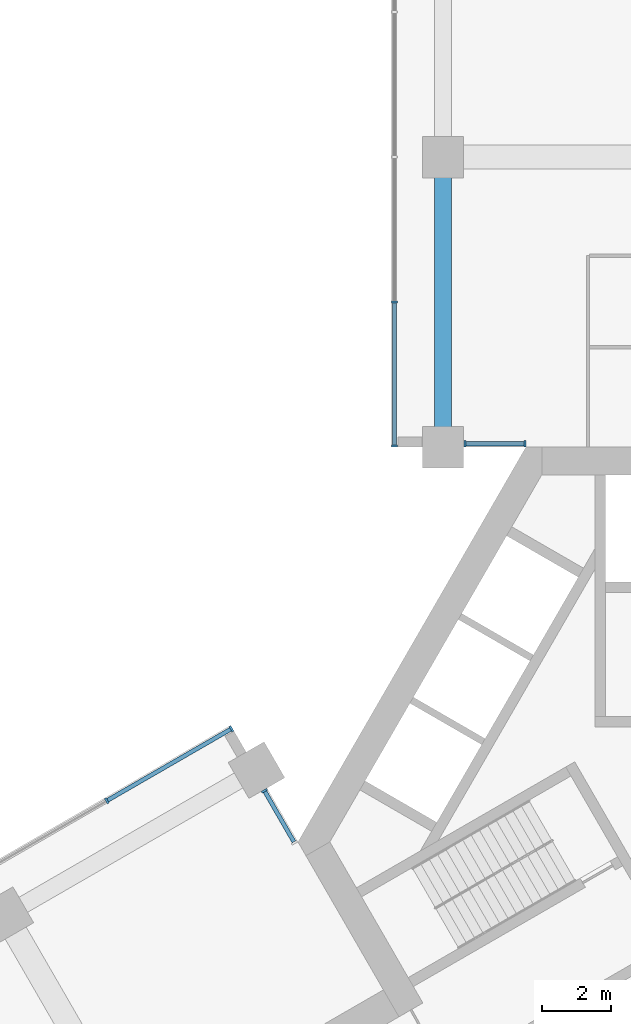
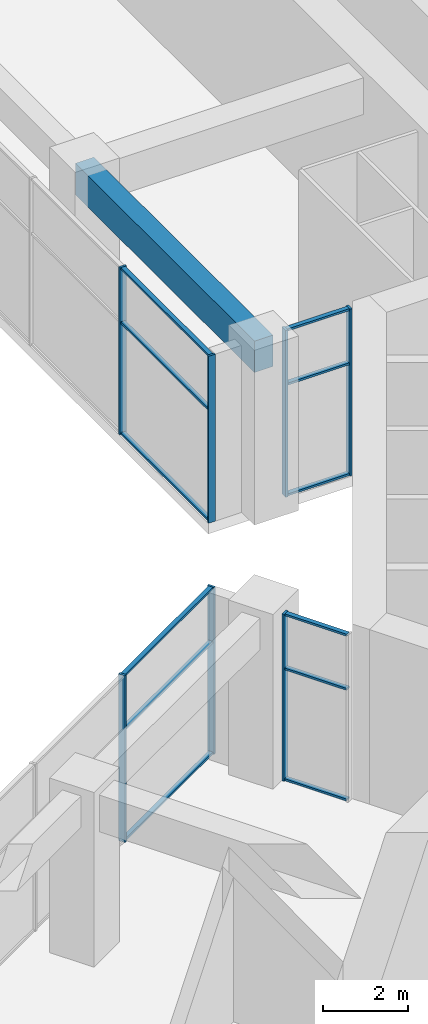
# One storey, part 6 of 20: 19 members, 1 beam, 4 elements without a shape of their own.
"""IFC4 building model written with IfcOpenShell, lengths in metres."""

from ifc_helpers import new_model, si_unit, direction, frame, origin, origin_2d, place, context, subcontext, project, spatial, rectangle, extrude, material, material_profile, profile_set, type_object, element, aggregate, save


model = new_model("IFC4")

# Units and contexts
model_context = context("Model", 3, precision=1e-05, world=origin(), true_north=direction((0.0, 1.0)))
body_context = subcontext(model_context, "Body", "Model", "MODEL_VIEW")
ifc_project = project(units=[si_unit("LENGTHUNIT", "METRE"), si_unit("AREAUNIT", "SQUARE_METRE"), si_unit("VOLUMEUNIT", "CUBIC_METRE"), si_unit("PLANEANGLEUNIT", "RADIAN"), si_unit("MASSUNIT", "GRAM", prefix="KILO")], contexts=[model_context])

# Site, building, storey
site_placement = place(None, origin())
site = spatial("IfcSite", under=ifc_project, at=site_placement, CompositionType="ELEMENT")
building_placement = place(site_placement, origin())
building = spatial("IfcBuilding", under=site, at=building_placement, Name="Impinga Residences", CompositionType="ELEMENT")
storey_placement = place(building_placement, frame((0.0, 0.0, 101.0)))
storey = spatial("IfcBuildingStorey", under=building, at=storey_placement, Name="L24", CompositionType="ELEMENT", Elevation=101.0)

# Curtain wall, members
ifc_material_1 = material(Name="Aluminium stick curtain wall", Category="aluminium")
curtain_wall_type = type_object("IfcCurtainWallType", Name="CW2 sky amenity curtain wall", PredefinedType="USERDEFINED", material=ifc_material_1)
curtain_wall_1_placement = place(storey_placement, origin())
curtain_wall_1 = element("IfcCurtainWall", 1, at=curtain_wall_1_placement, inside=storey, type_object=curtain_wall_type, Name="Curtain wall CW2 L24", ObjectType="STICK CURTAIN WALL", PredefinedType="USERDEFINED")
ifc_material_2 = material(Name="Aluminium mullion", Category="aluminium")
ifc_material_profile_1 = material_profile(ifc_material_2, rectangle(XDim=0.06005859375, YDim=0.179931640625, at=origin_2d()), Name="60x180 mullion")
ifc_profile_set_1 = profile_set([ifc_material_profile_1], Name="Aluminium mullion")
member_type_1 = type_object("IfcMemberType", Name="CW2-M mullion 60x180", PredefinedType="MULLION", material=ifc_profile_set_1)
member_1_placement = place(storey_placement, frame((-18.7373046875, 1.19091796875, 0.0), z_axis=(0.0, 0.0, 1.0), x_axis=(0.866025407005, 0.499999994423, 0.0)))
member_1 = element("IfcMember", 2, at=member_1_placement, type_object=member_type_1, Name="CW2 mullion 8", PredefinedType="MULLION", context=body_context, shape_type="SweptSolid", body=[
    extrude(rectangle(XDim=0.06005859375, YDim=0.179931640625, at=origin_2d()), origin(), (0.0, 0.0, 1.0), 4.780029296875),
])
member_2_placement = place(storey_placement, frame((-15.1259765625, 3.27587890625, 0.0), z_axis=(0.0, 0.0, 1.0), x_axis=(0.866025407005, 0.499999994423, 0.0)))
member_2 = element("IfcMember", 3, at=member_2_placement, type_object=member_type_1, Name="CW2 mullion 9", PredefinedType="MULLION", context=body_context, shape_type="SweptSolid", body=[
    extrude(rectangle(XDim=0.06005859375, YDim=0.179931640625, at=origin_2d()), origin(), (0.0, 0.0, 1.0), 4.780029296875),
])

# Curtain wall, member
curtain_wall_2_placement = place(storey_placement, origin())
curtain_wall_2 = element("IfcCurtainWall", 4, at=curtain_wall_2_placement, inside=storey, type_object=curtain_wall_type, Name="Curtain wall CW2 L24", ObjectType="STICK CURTAIN WALL", PredefinedType="USERDEFINED")
member_3_placement = place(storey_placement, frame((-14.170166015625, 1.480224609375, 0.0), z_axis=(0.0, 0.0, 1.0), x_axis=(0.499999915809, -0.866025452392, 0.0)))
member_3 = element("IfcMember", 5, at=member_3_placement, type_object=member_type_1, Name="CW2 mullion 1", PredefinedType="MULLION", context=body_context, shape_type="SweptSolid", body=[
    extrude(rectangle(XDim=0.06005859375, YDim=0.179931640625, at=origin_2d()), origin(), (0.0, 0.0, 1.0), 4.780029296875),
])

# Curtain wall, members
curtain_wall_3_placement = place(storey_placement, origin())
curtain_wall_3 = element("IfcCurtainWall", 6, at=curtain_wall_3_placement, inside=storey, type_object=curtain_wall_type, Name="Curtain wall CW2 L24", ObjectType="STICK CURTAIN WALL", PredefinedType="USERDEFINED")
member_4_placement = place(storey_placement, frame((-6.6298828125, 11.531494140625, 0.0), z_axis=(0.0, 0.0, 1.0), x_axis=(-1.0, 0.0, 0.0)))
member_4 = element("IfcMember", 7, at=member_4_placement, type_object=member_type_1, Name="CW2 mullion 1", PredefinedType="MULLION", context=body_context, shape_type="SweptSolid", body=[
    extrude(rectangle(XDim=0.06005859375, YDim=0.179931640625, at=origin_2d()), origin(), (0.0, 0.0, 1.0), 4.780029296875),
])
member_5_placement = place(storey_placement, frame((-8.366943359375, 11.531494140625, 0.0), z_axis=(0.0, 0.0, 1.0), x_axis=(-1.0, 0.0, 0.0)))
member_5 = element("IfcMember", 8, at=member_5_placement, type_object=member_type_1, Name="CW2 mullion 2", PredefinedType="MULLION", context=body_context, shape_type="SweptSolid", body=[
    extrude(rectangle(XDim=0.06005859375, YDim=0.179931640625, at=origin_2d()), origin(), (0.0, 0.0, 1.0), 4.780029296875),
])

curtain_wall_4_placement = place(storey_placement, origin())
curtain_wall_4 = element("IfcCurtainWall", 9, at=curtain_wall_4_placement, inside=storey, type_object=curtain_wall_type, Name="Curtain wall CW2 L24", ObjectType="STICK CURTAIN WALL", PredefinedType="USERDEFINED")
member_6_placement = place(storey_placement, frame((-10.39990234375, 11.46142578125, 0.0), z_axis=(0.0, 0.0, 1.0), x_axis=(0.0, 1.0, 0.0)))
member_6 = element("IfcMember", 10, at=member_6_placement, type_object=member_type_1, Name="CW2 mullion 1", PredefinedType="MULLION", context=body_context, shape_type="SweptSolid", body=[
    extrude(rectangle(XDim=0.06005859375, YDim=0.179931640625, at=origin_2d()), origin(), (0.0, 0.0, 1.0), 4.780029296875),
])
member_7_placement = place(storey_placement, frame((-10.39990234375, 15.631591796875, 0.0), z_axis=(0.0, 0.0, 1.0), x_axis=(0.0, 1.0, 0.0)))
member_7 = element("IfcMember", 11, at=member_7_placement, type_object=member_type_1, Name="CW2 mullion 2", PredefinedType="MULLION", context=body_context, shape_type="SweptSolid", body=[
    extrude(rectangle(XDim=0.06005859375, YDim=0.179931640625, at=origin_2d()), origin(), (0.0, 0.0, 1.0), 4.780029296875),
])

# Member
ifc_material_3 = material(Name="Aluminium transom", Category="aluminium")
ifc_material_profile_2 = material_profile(ifc_material_3, rectangle(XDim=0.06005859375, YDim=0.1201171875, at=origin_2d()), Name="60x120 transom")
ifc_profile_set_2 = profile_set([ifc_material_profile_2], Name="Aluminium transom")
member_type_2 = type_object("IfcMemberType", Name="CW2-T transom 60x120", PredefinedType="USERDEFINED", material=ifc_profile_set_2)
member_8_placement = place(storey_placement, frame((-18.71142578125, 1.205810546875, 0.030029296875), z_axis=(0.866019409031, 0.500010383074, 0.0), x_axis=(0.0, 0.0, 1.0)))
member_8 = element("IfcMember", 12, at=member_8_placement, type_object=member_type_2, Name="CW2 transom 8.1", ObjectType="TRANSOM", PredefinedType="USERDEFINED", context=body_context, shape_type="SweptSolid", body=[
    extrude(rectangle(XDim=0.06005859375, YDim=0.1201171875, at=origin_2d()), origin(), (0.0, 0.0, 1.0), 4.1103515625),
])

member_9_placement = place(storey_placement, frame((-18.71142578125, 1.205810546875, 3.199951171875), z_axis=(0.866019409031, 0.500010383074, 0.0), x_axis=(0.0, 0.0, 1.0)))
member_9 = element("IfcMember", 13, at=member_9_placement, type_object=member_type_2, Name="CW2 transom 8.2", ObjectType="TRANSOM", PredefinedType="USERDEFINED", context=body_context, shape_type="SweptSolid", body=[
    extrude(rectangle(XDim=0.06005859375, YDim=0.1201171875, at=origin_2d()), origin(), (0.0, 0.0, 1.0), 4.1103515625),
])

member_10_placement = place(storey_placement, frame((-18.71142578125, 1.205810546875, 4.75), z_axis=(0.866019409031, 0.500010383074, 0.0), x_axis=(0.0, 0.0, 1.0)))
member_10 = element("IfcMember", 14, at=member_10_placement, type_object=member_type_2, Name="CW2 transom 8.3", ObjectType="TRANSOM", PredefinedType="USERDEFINED", context=body_context, shape_type="SweptSolid", body=[
    extrude(rectangle(XDim=0.06005859375, YDim=0.1201171875, at=origin_2d()), origin(), (0.0, 0.0, 1.0), 4.1103515625),
])

aggregate(curtain_wall_1, [member_1, member_2, member_8, member_9, member_10])

member_11_placement = place(storey_placement, frame((-14.155029296875, 1.454345703125, 0.030029296875), z_axis=(0.499928289941, -0.866066801648, 0.0), x_axis=(0.0, 0.0, 1.0)))
member_11 = element("IfcMember", 15, at=member_11_placement, type_object=member_type_2, Name="CW2 transom 1.1", ObjectType="TRANSOM", PredefinedType="USERDEFINED", context=body_context, shape_type="SweptSolid", body=[
    extrude(rectangle(XDim=0.06005859375, YDim=0.1201171875, at=origin_2d()), origin(), (0.0, 0.0, 1.0), 1.677001953125),
])

member_12_placement = place(storey_placement, frame((-14.155029296875, 1.454345703125, 3.199951171875), z_axis=(0.499928289941, -0.866066801648, 0.0), x_axis=(0.0, 0.0, 1.0)))
member_12 = element("IfcMember", 16, at=member_12_placement, type_object=member_type_2, Name="CW2 transom 1.2", ObjectType="TRANSOM", PredefinedType="USERDEFINED", context=body_context, shape_type="SweptSolid", body=[
    extrude(rectangle(XDim=0.06005859375, YDim=0.1201171875, at=origin_2d()), origin(), (0.0, 0.0, 1.0), 1.677001953125),
])

member_13_placement = place(storey_placement, frame((-14.155029296875, 1.454345703125, 4.75), z_axis=(0.499928289941, -0.866066801648, 0.0), x_axis=(0.0, 0.0, 1.0)))
member_13 = element("IfcMember", 17, at=member_13_placement, type_object=member_type_2, Name="CW2 transom 1.3", ObjectType="TRANSOM", PredefinedType="USERDEFINED", context=body_context, shape_type="SweptSolid", body=[
    extrude(rectangle(XDim=0.06005859375, YDim=0.1201171875, at=origin_2d()), origin(), (0.0, 0.0, 1.0), 1.677001953125),
])

aggregate(curtain_wall_2, [member_3, member_11, member_12, member_13])

member_14_placement = place(storey_placement, frame((-6.659912109375, 11.531494140625, 0.030029296875), z_axis=(-1.0, 0.0, 0.0), x_axis=(0.0, 0.0, 1.0)))
member_14 = element("IfcMember", 18, at=member_14_placement, type_object=member_type_2, Name="CW2 transom 1.1", ObjectType="TRANSOM", PredefinedType="USERDEFINED", context=body_context, shape_type="SweptSolid", body=[
    extrude(rectangle(XDim=0.06005859375, YDim=0.1201171875, at=origin_2d()), origin(), (0.0, 0.0, 1.0), 1.677001953125),
])

member_15_placement = place(storey_placement, frame((-6.659912109375, 11.531494140625, 3.199951171875), z_axis=(-1.0, 0.0, 0.0), x_axis=(0.0, 0.0, 1.0)))
member_15 = element("IfcMember", 19, at=member_15_placement, type_object=member_type_2, Name="CW2 transom 1.2", ObjectType="TRANSOM", PredefinedType="USERDEFINED", context=body_context, shape_type="SweptSolid", body=[
    extrude(rectangle(XDim=0.06005859375, YDim=0.1201171875, at=origin_2d()), origin(), (0.0, 0.0, 1.0), 1.677001953125),
])

member_16_placement = place(storey_placement, frame((-6.659912109375, 11.531494140625, 4.75), z_axis=(-1.0, 0.0, 0.0), x_axis=(0.0, 0.0, 1.0)))
member_16 = element("IfcMember", 20, at=member_16_placement, type_object=member_type_2, Name="CW2 transom 1.3", ObjectType="TRANSOM", PredefinedType="USERDEFINED", context=body_context, shape_type="SweptSolid", body=[
    extrude(rectangle(XDim=0.06005859375, YDim=0.1201171875, at=origin_2d()), origin(), (0.0, 0.0, 1.0), 1.677001953125),
])

aggregate(curtain_wall_3, [member_4, member_5, member_14, member_15, member_16])

member_17_placement = place(storey_placement, frame((-10.39990234375, 11.491455078125, 0.030029296875), z_axis=(0.0, 1.0, 0.0), x_axis=(0.0, 0.0, 1.0)))
member_17 = element("IfcMember", 21, at=member_17_placement, type_object=member_type_2, Name="CW2 transom 1.1", ObjectType="TRANSOM", PredefinedType="USERDEFINED", context=body_context, shape_type="SweptSolid", body=[
    extrude(rectangle(XDim=0.06005859375, YDim=0.1201171875, at=origin_2d()), origin(), (0.0, 0.0, 1.0), 4.110107421875),
])

member_18_placement = place(storey_placement, frame((-10.39990234375, 11.491455078125, 3.199951171875), z_axis=(0.0, 1.0, 0.0), x_axis=(0.0, 0.0, 1.0)))
member_18 = element("IfcMember", 22, at=member_18_placement, type_object=member_type_2, Name="CW2 transom 1.2", ObjectType="TRANSOM", PredefinedType="USERDEFINED", context=body_context, shape_type="SweptSolid", body=[
    extrude(rectangle(XDim=0.06005859375, YDim=0.1201171875, at=origin_2d()), origin(), (0.0, 0.0, 1.0), 4.110107421875),
])

member_19_placement = place(storey_placement, frame((-10.39990234375, 11.491455078125, 4.75), z_axis=(0.0, 1.0, 0.0), x_axis=(0.0, 0.0, 1.0)))
member_19 = element("IfcMember", 23, at=member_19_placement, type_object=member_type_2, Name="CW2 transom 1.3", ObjectType="TRANSOM", PredefinedType="USERDEFINED", context=body_context, shape_type="SweptSolid", body=[
    extrude(rectangle(XDim=0.06005859375, YDim=0.1201171875, at=origin_2d()), origin(), (0.0, 0.0, 1.0), 4.110107421875),
])

aggregate(curtain_wall_4, [member_6, member_7, member_17, member_18, member_19])

# Beam
ifc_material_4 = material(Name="Concrete C60/75", Category="concrete")
ifc_material_profile_3 = material_profile(ifc_material_4, rectangle(XDim=0.5, YDim=0.89990234375, at=origin_2d()), Name="RC 500x900")
ifc_profile_set_3 = profile_set([ifc_material_profile_3], Name="Concrete C60/75")
beam_type = type_object("IfcBeamType", Name="SB1 500x900 perimeter spandrel beam", PredefinedType="SPANDREL", material=ifc_profile_set_3)
beam_placement = place(storey_placement, frame((-9.0, 11.431640625, 4.330078125), z_axis=(0.0, 1.0, 0.0), x_axis=(-1.0, 0.0, 0.0)))
element("IfcBeam", 24, at=beam_placement, inside=storey, type_object=beam_type, Name="Beam SB1 NA N1-N2 level L25", PredefinedType="SPANDREL", context=body_context, shape_type="SweptSolid", body=[
    extrude(rectangle(XDim=0.5, YDim=0.89990234375, at=origin_2d()), origin(), (0.0, 0.0, 1.0), 8.39990234375),
])

save(model, "model.ifc")
